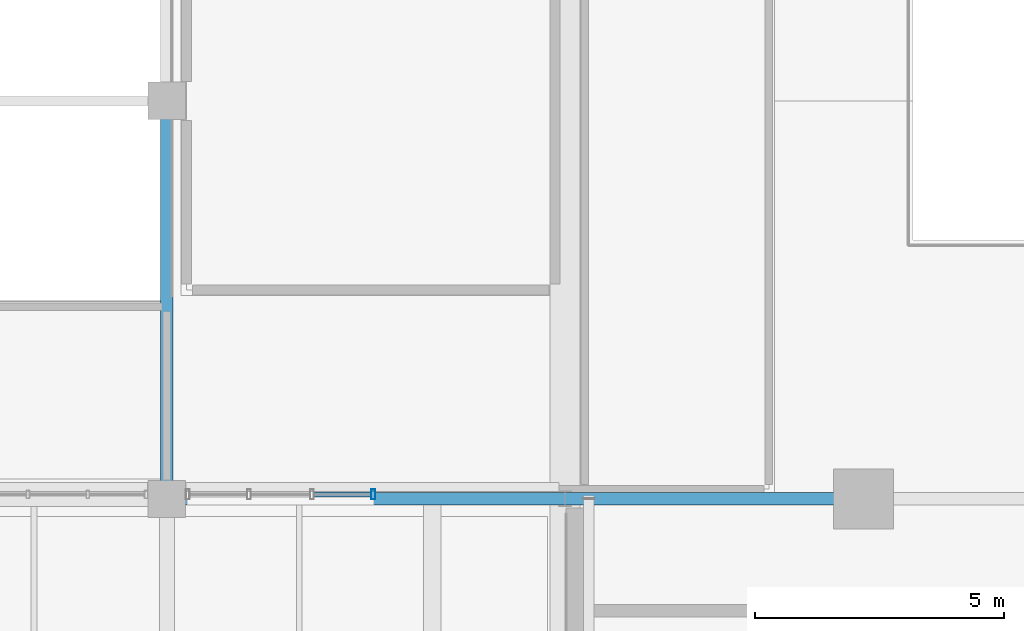
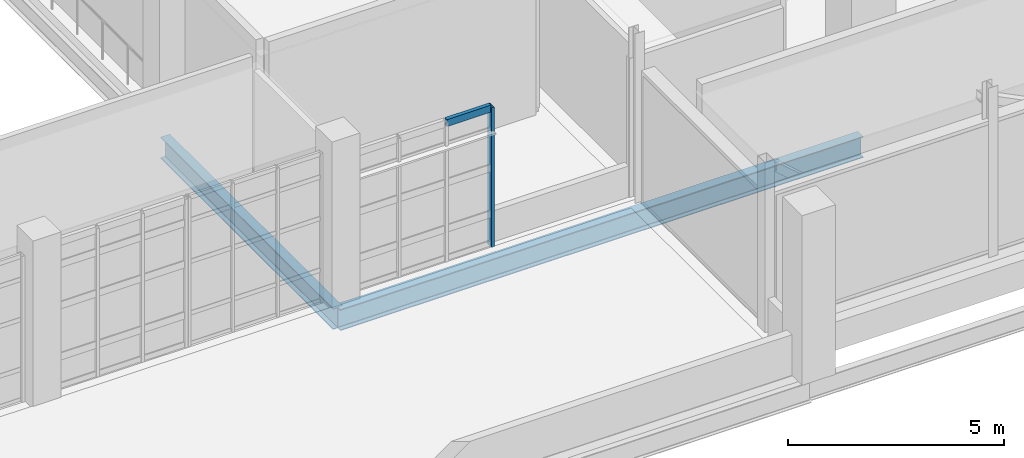
# One storey, part 18 of 102: 2 beams, 2 members, 1 element without a shape of its own.
"""IFC4 building model written with IfcOpenShell, lengths in metres."""

import ifcopenshell
import ifcopenshell.guid

model = None  # the IFC model being written
_history = None  # IfcOwnerHistory: only IFC2X3 demands one
_inside = {}  # id of a spatial element -> (the spatial element, [elements in it])
_under = {}  # id of a project, library or spatial element -> (it, [spatial elements below it])
_declared = {}  # id of a project -> (the project, [libraries it declares])
_typed = {}  # id of a type object -> (the type object, [elements of that type])
_made_of = {}  # id of a material, layer set ... -> (it, [elements and type objects made of it])


def new_model(schema):
    """Start an empty IFC model of exactly this schema.

    Asked for "IFC4X3", IfcOpenShell would pick the latest addendum, in which some entities
    have other attributes; the version numbers below select the first issue.
    IFC2X3 requires an IfcOwnerHistory on every rooted entity: one is made here for all.
    """
    global model, _history
    if schema == "IFC4X3":
        model = ifcopenshell.file(schema_version=(4, 3, 0, 0))
    else:
        model = ifcopenshell.file(schema=schema)
    _inside.clear()
    _under.clear()
    _declared.clear()
    _typed.clear()
    _made_of.clear()
    _history = None
    if model.schema == "IFC2X3":
        org = make("IfcOrganization", Name="unknown")
        user = make(
            "IfcPersonAndOrganization",
            ThePerson=make("IfcPerson", FamilyName="unknown"),
            TheOrganization=org,
        )
        app = make(
            "IfcApplication",
            ApplicationDeveloper=org,
            Version="unknown",
            ApplicationFullName="unknown",
            ApplicationIdentifier="unknown",
        )
        _history = make(
            "IfcOwnerHistory",
            OwningUser=user,
            OwningApplication=app,
            ChangeAction="ADDED",
            CreationDate=0,
        )
    return model


def make(cls, **values):
    """One entity of the class cls with the attributes given. An attribute that is None is left unset."""
    return model.create_entity(
        cls, **{name: value for name, value in values.items() if value is not None}
    )


def rooted(cls, **values):
    """An entity with a GlobalId (a new one), such as an element, a storey or a relation."""
    return make(cls, GlobalId=ifcopenshell.guid.new(), OwnerHistory=_history, **values)


def si_unit(unit_type, name, prefix=None):
    """IfcSIUnit, for example si_unit("LENGTHUNIT", "METRE", prefix="MILLI")."""
    return make("IfcSIUnit", UnitType=unit_type, Prefix=prefix, Name=name)


def derived_unit(unit_type, elements):
    """IfcDerivedUnit: a product of units, each with its exponent."""
    return make(
        "IfcDerivedUnit",
        Elements=[
            make("IfcDerivedUnitElement", Unit=unit, Exponent=power)
            for unit, power in elements
        ],
        UnitType=unit_type,
    )


def assignment(units):
    """IfcUnitAssignment: the units of a project."""
    return None if units is None else make("IfcUnitAssignment", Units=units)


def point(xyz):
    """IfcCartesianPoint."""
    return None if xyz is None else make("IfcCartesianPoint", Coordinates=xyz)


def direction(xyz):
    """IfcDirection."""
    return None if xyz is None else make("IfcDirection", DirectionRatios=xyz)


def frame(location, z_axis=None, x_axis=None):
    """IfcAxis2Placement3D, a coordinate frame: its origin and axes. An axis left out is left unset."""
    return make(
        "IfcAxis2Placement3D",
        Location=point(location),
        Axis=direction(z_axis),
        RefDirection=direction(x_axis),
    )


def frame_2d(location, x_axis=None):
    """IfcAxis2Placement2D, a coordinate frame in the plane: its origin and x axis."""
    return make(
        "IfcAxis2Placement2D", Location=point(location), RefDirection=direction(x_axis)
    )


def origin():
    """The frame at (0, 0, 0) with its axes left unset."""
    return frame((0.0, 0.0, 0.0))


def origin_2d():
    """The frame at (0, 0) in the plane with its x axis left unset."""
    return frame_2d((0.0, 0.0))


def place(relative_to, where):
    """IfcLocalPlacement: puts the frame where relative to a parent placement (None: the world)."""
    return make(
        "IfcLocalPlacement", PlacementRelTo=relative_to, RelativePlacement=where
    )


def context(
    kind, dimensions, precision=None, world=None, true_north=None, identifier=None
):
    """IfcGeometricRepresentationContext, for example the 3D "Model" context."""
    return make(
        "IfcGeometricRepresentationContext",
        ContextIdentifier=identifier,
        ContextType=kind,
        CoordinateSpaceDimension=dimensions,
        Precision=precision,
        WorldCoordinateSystem=world,
        TrueNorth=true_north,
    )


def subcontext(parent, identifier, kind, view, scale=None):
    """IfcGeometricRepresentationSubContext, for example "Body" below "Model"."""
    return make(
        "IfcGeometricRepresentationSubContext",
        ContextIdentifier=identifier,
        ContextType=kind,
        ParentContext=parent,
        TargetScale=scale,
        TargetView=view,
    )


def project(units=None, contexts=None):
    """IfcProject with its units and contexts."""
    return rooted(
        "IfcProject",
        Name="project",
        RepresentationContexts=contexts,
        UnitsInContext=assignment(units),
    )


def spatial(cls, under=None, at=None, **own):
    """A site, building, storey or space (cls), placed at a placement, below another one or the project."""
    s = rooted(cls, ObjectPlacement=at, **own)
    if under is not None:
        _under.setdefault(under.id(), (under, []))[1].append(s)
    return s


def profile(cls, at=None, kind="AREA", **sizes):
    """A parametric profile (cls). Its sizes go by their IFC names, for example OverallWidth=200.0."""
    return make(cls, ProfileType=kind, Position=at, **sizes)


def hollow_rectangle(**sizes):
    """IfcRectangleHollowProfileDef."""
    return profile("IfcRectangleHollowProfileDef", **sizes)


def i_section(**sizes):
    """IfcIShapeProfileDef."""
    return profile("IfcIShapeProfileDef", **sizes)


def extrude(swept, where, along, depth):
    """IfcExtrudedAreaSolid: the profile swept, set in the frame where, extruded along a direction by depth."""
    return make(
        "IfcExtrudedAreaSolid",
        SweptArea=swept,
        Position=where,
        ExtrudedDirection=direction(along),
        Depth=depth,
    )


def shape(context_of_items, identifier, shape_type, items):
    """IfcShapeRepresentation: the items that make up one representation, for example the "Body"."""
    return make(
        "IfcShapeRepresentation",
        ContextOfItems=context_of_items,
        RepresentationIdentifier=identifier,
        RepresentationType=shape_type,
        Items=items,
    )


def material(Name=None, Category=None):
    """IfcMaterial."""
    return make("IfcMaterial", Name=Name, Category=Category)


def layer(
    of_material, thickness, ventilated=None, Name=None, Category=None, Priority=None
):
    """IfcMaterialLayer: one layer of a wall or slab, of a material (None: an air gap)."""
    return make(
        "IfcMaterialLayer",
        Material=of_material,
        LayerThickness=thickness,
        IsVentilated=ventilated,
        Name=Name,
        Category=Category,
        Priority=Priority,
    )


def layer_set(layers, Name=None):
    """IfcMaterialLayerSet."""
    return make("IfcMaterialLayerSet", MaterialLayers=layers, LayerSetName=Name)


def material_profile(
    of_material, cross_section, Name=None, Category=None, Priority=None
):
    """IfcMaterialProfile: a cross section and its material."""
    return make(
        "IfcMaterialProfile",
        Name=Name,
        Material=of_material,
        Profile=cross_section,
        Priority=Priority,
        Category=Category,
    )


def profile_set(profiles, Name=None, composite=None):
    """IfcMaterialProfileSet."""
    return make(
        "IfcMaterialProfileSet",
        Name=Name,
        MaterialProfiles=profiles,
        CompositeProfile=composite,
    )


def made_of(thing, what):
    """Note that an element or type object is made of a material, layer set ...; save() writes the relation."""
    if what is not None:
        _made_of.setdefault(what.id(), (what, []))[1].append(thing)
    return thing


def type_object(cls, material=None, **own):
    """A type object (cls), such as IfcWallType, which elements share."""
    return made_of(rooted(cls, **own), material)


def element(
    cls,
    number,
    at=None,
    inside=None,
    cuts=None,
    type_object=None,
    material=None,
    context=None,
    identifier="Body",
    shape_type=None,
    held_by="IfcProductDefinitionShape",
    body=None,
    shapes=None,
    **own,
):
    """One element of the class cls, such as IfcWall. Its Tag is "e" and its number.

    at: its placement. inside: the storey or other place that contains it. cuts: it is an
    opening in that element (IfcRelVoidsElement). A single representation is given by context,
    identifier, shape_type and body (its items); several are given by shapes. held_by: the class
    of the entity that holds the representations. save() writes the other relations.
    """
    e = rooted(cls, Tag="e%d" % number, ObjectPlacement=at, **own)
    if body is not None:
        shapes = [shape(context, identifier, shape_type, body)]
    if shapes is not None:
        e.Representation = make(held_by, Representations=shapes)
    if inside is not None:
        _inside.setdefault(inside.id(), (inside, []))[1].append(e)
    if cuts is not None:
        rooted(
            "IfcRelVoidsElement", RelatingBuildingElement=cuts, RelatedOpeningElement=e
        )
    if type_object is not None:
        _typed.setdefault(type_object.id(), (type_object, []))[1].append(e)
    return made_of(e, material)


def aggregate(whole, parts):
    """IfcRelAggregates: a whole, such as a stair, and the parts it consists of."""
    return rooted("IfcRelAggregates", RelatingObject=whole, RelatedObjects=parts)


def save(model, path):
    """Write the relations noted so far, then the file.

    IfcRelAggregates (storeys below a building ...), IfcRelContainedInSpatialStructure (elements
    in a storey), IfcRelDefinesByType, IfcRelAssociatesMaterial and IfcRelDeclares: one each for
    every whole, place, type object, material and project.
    """
    for whole, parts in _under.values():
        aggregate(whole, parts)
    for where, things in _inside.values():
        rooted(
            "IfcRelContainedInSpatialStructure",
            RelatedElements=things,
            RelatingStructure=where,
        )
    for kind, things in _typed.values():
        rooted("IfcRelDefinesByType", RelatedObjects=things, RelatingType=kind)
    for what, things in _made_of.values():
        rooted("IfcRelAssociatesMaterial", RelatedObjects=things, RelatingMaterial=what)
    for by, libraries in _declared.values():
        rooted("IfcRelDeclares", RelatingContext=by, RelatedDefinitions=libraries)
    model.write(path)


model = new_model("IFC4")

# Units and contexts
model_context = context("Model", 3, precision=1e-05, world=origin(), true_north=direction((0.0, 1.0)))
body_context = subcontext(model_context, "Body", "Model", "MODEL_VIEW")
ifc_project = project(units=[si_unit("LENGTHUNIT", "METRE"), si_unit("AREAUNIT", "SQUARE_METRE"), si_unit("VOLUMEUNIT", "CUBIC_METRE"), si_unit("PLANEANGLEUNIT", "RADIAN"), si_unit("MASSUNIT", "GRAM", prefix="KILO"), derived_unit("THERMALTRANSMITTANCEUNIT", [(si_unit("POWERUNIT", "WATT"), 1), (si_unit("LENGTHUNIT", "METRE"), -2), (si_unit("THERMODYNAMICTEMPERATUREUNIT", "KELVIN"), -1)])], contexts=[model_context])

# Site, building, storey
site_placement = place(None, origin())
site = spatial("IfcSite", under=ifc_project, at=site_placement, CompositionType="ELEMENT")
building_placement = place(site_placement, origin())
building = spatial("IfcBuilding", under=site, at=building_placement, Name="Nallur Shell Playhouse", CompositionType="ELEMENT")
storey_placement = place(building_placement, frame((0.0, 0.0, 15.0)))
storey = spatial("IfcBuildingStorey", under=building, at=storey_placement, Name="L04", CompositionType="ELEMENT", Elevation=15.0)

# Beams
ifc_material_1 = material(Name="Steel E350", Category="steel")
ifc_material_profile_1 = material_profile(ifc_material_1, i_section(OverallWidth=0.25, OverallDepth=0.60009765625, WebThickness=0.01171875, FlangeThickness=0.023681640625, FilletRadius=0.01708984375, at=origin_2d()), Name="ISWB 600")
ifc_profile_set_1 = profile_set([ifc_material_profile_1], Name="Steel E350")
beam_type = type_object("IfcBeamType", Name="BM-ST-ISWB600", PredefinedType="BEAM", material=ifc_profile_set_1)
beam_1_placement = place(storey_placement, frame((56.0, 16.0, -0.56005859375), z_axis=(1.0, 0.0, 0.0), x_axis=(0.0, 1.0, 0.0)))
element("IfcBeam", 1, at=beam_1_placement, inside=storey, type_object=beam_type, Name="L04 girder X-B-753", PredefinedType="BEAM", context=body_context, shape_type="SweptSolid", body=[
    extrude(i_section(OverallWidth=0.25, OverallDepth=0.60009765625, WebThickness=0.01171875, FlangeThickness=0.023681640625, FilletRadius=0.01708984375, at=origin_2d()), origin(), (0.0, 0.0, 1.0), 14.0),
])
beam_2_placement = place(storey_placement, frame((56.0, 16.0, -0.56005859375), z_axis=(0.0, 1.0, 0.0), x_axis=(-1.0, 0.0, 0.0)))
element("IfcBeam", 2, at=beam_2_placement, inside=storey, type_object=beam_type, Name="L04 girder Y-7-833", PredefinedType="BEAM", context=body_context, shape_type="SweptSolid", body=[
    extrude(i_section(OverallWidth=0.25, OverallDepth=0.60009765625, WebThickness=0.01171875, FlangeThickness=0.023681640625, FilletRadius=0.01708984375, at=origin_2d()), origin(), (0.0, 0.0, 1.0), 8.0),
])

# Curtain wall, members
ifc_material_2 = material(Name="Anodised Aluminium Double-Glazed Facade System", Category="aluminium")
ifc_layer = layer(ifc_material_2, 0.176025390625)
ifc_layer_set = layer_set([ifc_layer], Name="Anodised Aluminium Double-Glazed Facade System")
curtain_wall_type = type_object("IfcCurtainWallType", Name="CW-UNIT-04", PredefinedType="NOTDEFINED", material=ifc_layer_set)
curtain_wall_placement = place(storey_placement, origin())
curtain_wall = element("IfcCurtainWall", 3, at=curtain_wall_placement, inside=storey, type_object=curtain_wall_type, Name="Unitised curtain wall CW-132 (L04)", PredefinedType="NOTDEFINED")
ifc_material_3 = material(Name="Aluminium Alloy 6063-T6 Mullion", Category="aluminium")
ifc_material_profile_2 = material_profile(ifc_material_3, hollow_rectangle(XDim=0.074951171875, YDim=0.199951171875, WallThickness=0.0048828125, at=origin_2d()), Name="ALU 75x200x5")
ifc_profile_set_2 = profile_set([ifc_material_profile_2], Name="Aluminium Alloy 6063-T6 Mullion")
member_type_1 = type_object("IfcMemberType", Name="MB-CW-MUL180", PredefinedType="MULLION", material=ifc_profile_set_2)
member_1_placement = place(storey_placement, frame((60.14892578125, 16.090087890625, -0.014892578125), z_axis=(0.0, 0.0, 1.0), x_axis=(-1.0, 0.0, 0.0)))
member_1 = element("IfcMember", 4, at=member_1_placement, type_object=member_type_1, Name="CW-04 mullion 1", PredefinedType="MULLION", context=body_context, shape_type="SweptSolid", body=[
    extrude(hollow_rectangle(XDim=0.074951171875, YDim=0.199951171875, WallThickness=0.0048828125, at=origin_2d()), origin(), (0.0, 0.0, 1.0), 3.953857421875),
])
ifc_material_4 = material(Name="Aluminium Alloy 6063-T6 Transom", Category="aluminium")
ifc_material_profile_3 = material_profile(ifc_material_4, hollow_rectangle(XDim=0.10009765625, YDim=0.199951171875, WallThickness=0.008056640625, at=origin_2d()), Name="RHS 200x100x8")
ifc_profile_set_3 = profile_set([ifc_material_profile_3], Name="Aluminium Alloy 6063-T6 Transom")
member_type_2 = type_object("IfcMemberType", Name="MB-CW-TRN140", PredefinedType="USERDEFINED", material=ifc_profile_set_3)
member_2_placement = place(storey_placement, frame((60.119384765625, 16.090087890625, 3.885009765625), z_axis=(-1.0, 0.0, 0.0), x_axis=(0.0, -1.0, 0.0)))
member_2 = element("IfcMember", 5, at=member_2_placement, type_object=member_type_2, Name="CW-04 transom 1.5", ObjectType="TRANSOM", PredefinedType="USERDEFINED", context=body_context, shape_type="SweptSolid", body=[
    extrude(hollow_rectangle(XDim=0.10009765625, YDim=0.199951171875, WallThickness=0.008056640625, at=origin_2d()), origin(), (0.0, 0.0, 1.0), 1.171142578125),
])
aggregate(curtain_wall, [member_1, member_2])

save(model, "model.ifc")
